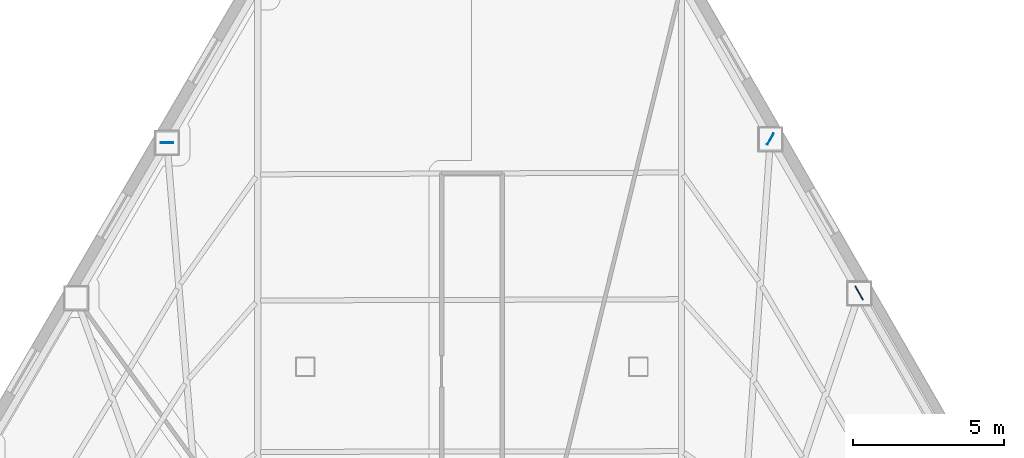
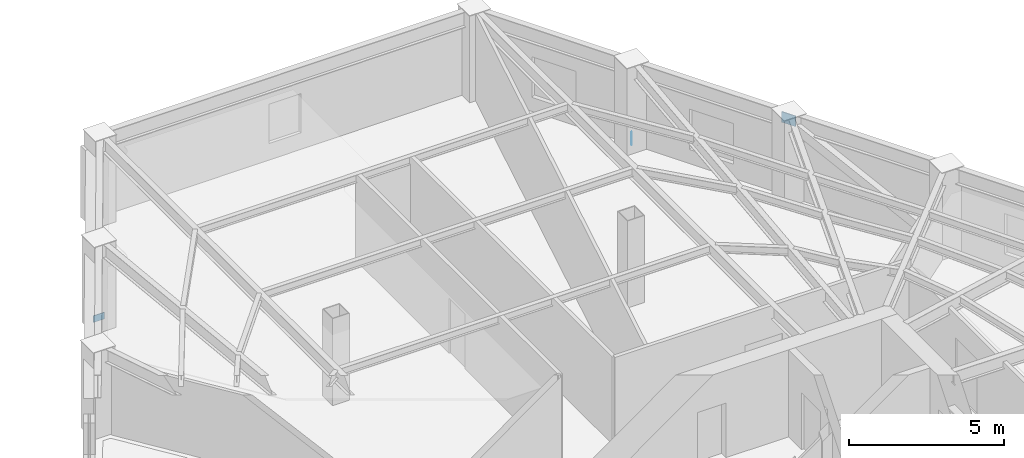
# One storey, part 7 of 14: 3 plates.
"""IFC4 building model written with IfcOpenShell, lengths in metres."""

from ifc_helpers import new_model, si_unit, direction, frame, origin, origin_2d, place, context, subcontext, project, spatial, rectangle, extrude, material, layer, layer_set, type_object, element, save


model = new_model("IFC4")

# Units and contexts
model_context = context("Model", 3, precision=1e-05, world=origin(), true_north=direction((0.0, 1.0)))
body_context = subcontext(model_context, "Body", "Model", "MODEL_VIEW")
ifc_project = project(units=[si_unit("LENGTHUNIT", "METRE"), si_unit("AREAUNIT", "SQUARE_METRE"), si_unit("VOLUMEUNIT", "CUBIC_METRE"), si_unit("PLANEANGLEUNIT", "RADIAN"), si_unit("MASSUNIT", "GRAM", prefix="KILO")], contexts=[model_context])

# Site, building, storey
site_placement = place(None, origin())
site = spatial("IfcSite", under=ifc_project, at=site_placement, CompositionType="ELEMENT")
building_placement = place(site_placement, origin())
building = spatial("IfcBuilding", under=site, at=building_placement, Name="Kavelnor Concourse Tower", CompositionType="ELEMENT")
storey_placement = place(building_placement, frame((0.0, 0.0, 71.449951171875)))
storey = spatial("IfcBuildingStorey", under=building, at=storey_placement, Name="L18", CompositionType="ELEMENT", Elevation=71.449951171875)

# Plates
ifc_material = material(Name="Steel Grade 350", Category="steel")
ifc_layer_1 = layer(ifc_material, 0.031982421875, Name="Steel Grade 350")
ifc_layer_set_1 = layer_set([ifc_layer_1], Name="Steel Grade 350")
plate_type_1 = type_object("IfcPlateType", Name="PL-GUSSET-TUBE-Z1", PredefinedType="USERDEFINED", material=ifc_layer_set_1)
plate_placement = place(storey_placement, frame((50.785888671875, 34.237060546875, 2.9140625), z_axis=(0.0, 0.0, 1.0), x_axis=(-0.499244059975, 0.866461406284, 0.0)))
element("IfcPlate", 1, at=plate_placement, inside=storey, type_object=plate_type_1, Name="L18 Tube Brace Gusset GP3 F2-B3 End Gusset B", ObjectType="GUSSET_PLATE", PredefinedType="USERDEFINED", context=body_context, shape_type="SweptSolid", body=[
    extrude(rectangle(XDim=0.52001953125, YDim=0.031982421875, at=origin_2d()), origin(), (0.0, 0.0, 1.0), 0.419921875),
])
ifc_layer_2 = layer(ifc_material, 0.02490234375, Name="Steel Grade 350")
ifc_layer_set_2 = layer_set([ifc_layer_2], Name="Steel Grade 350")
plate_type_2 = type_object("IfcPlateType", Name="PL-SPLICE-FLANGE", PredefinedType="SHEET", material=ifc_layer_set_2)
for number, where, z_axis, x_axis, name in (
    (2, (27.93017578125, 39.1982421875, 0.169921875), (0.0, 0.0, 1.0), (1.0, 0.0, 0.0), "L18 Column Flange Splice Plate F0-B1"),
    (3, (47.857421875, 39.31884765625, 0.169921875), (0.0, 0.0, 1.0), (-0.5, -0.866025403784, 0.0), "L18 Column Flange Splice Plate F2-B5"),
):
    element("IfcPlate", number, at=place(storey_placement, frame(where, z_axis=z_axis, x_axis=x_axis)), inside=storey, type_object=plate_type_2, Name=name, PredefinedType="SHEET", context=body_context, shape_type="SweptSolid", body=[
        extrude(rectangle(XDim=0.419921875, YDim=0.02490234375, at=origin_2d()), origin(), (0.0, 0.0, 1.0), 0.260009765625),
    ])

save(model, "model.ifc")
